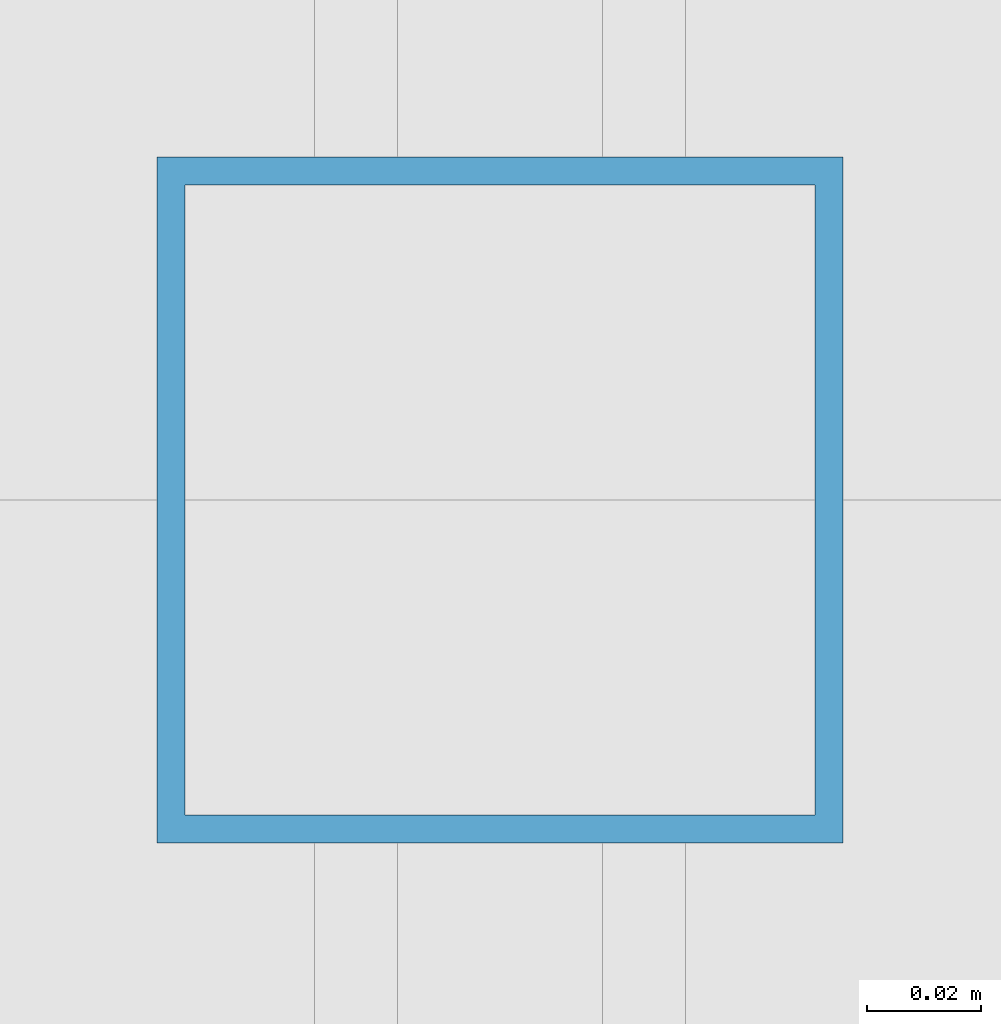
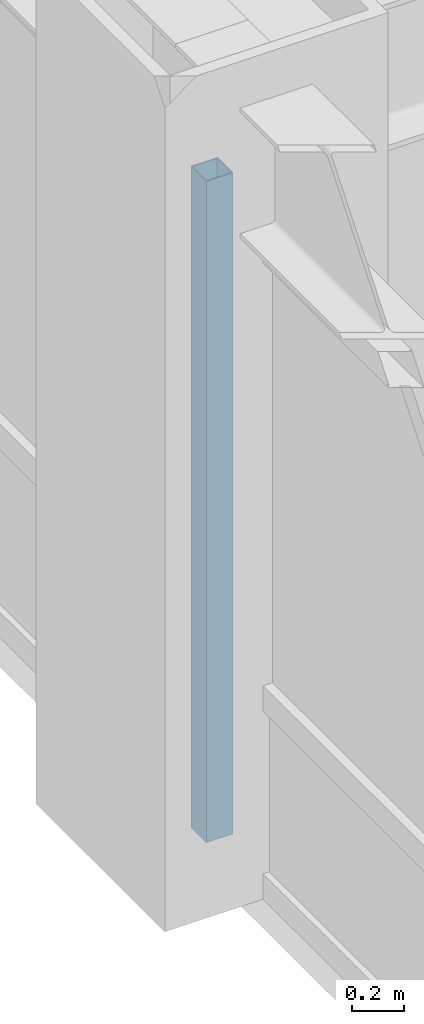
# One storey, part 6 of 29: 1 member, 1 element without a shape of its own.
"""IFC4 building model written with IfcOpenShell, lengths in metres."""

from ifc_helpers import new_model, si_unit, direction, frame, origin, origin_2d, place, context, subcontext, project, spatial, hollow_rectangle, extrude, source, transform, mapped, material, material_profile, profile_set, type_object, element, aggregate, save


model = new_model("IFC4")

# Units and contexts
model_context = context("Model", 3, precision=1e-05, world=origin(), true_north=direction((0.0, 1.0)))
body_context = subcontext(model_context, "Body", "Model", "MODEL_VIEW")
ifc_project = project(units=[si_unit("LENGTHUNIT", "METRE"), si_unit("AREAUNIT", "SQUARE_METRE"), si_unit("VOLUMEUNIT", "CUBIC_METRE"), si_unit("PLANEANGLEUNIT", "RADIAN"), si_unit("MASSUNIT", "GRAM", prefix="KILO")], contexts=[model_context])

# Site, building, storey
site_placement = place(None, origin())
site = spatial("IfcSite", under=ifc_project, at=site_placement, CompositionType="ELEMENT")
building_placement = place(site_placement, origin())
building = spatial("IfcBuilding", under=site, at=building_placement, Name="Khorayat Bourse Tower", CompositionType="ELEMENT")
storey_placement = place(building_placement, frame((0.0, 0.0, 239.10009765625)))
storey = spatial("IfcBuildingStorey", under=building, at=storey_placement, Name="L56", CompositionType="ELEMENT", Elevation=239.10009765625)

# Curtain wall, member
ifc_material = material(Name="Aluminium EN AW-6063 T6", Category="aluminium")
curtain_wall_type = type_object("IfcCurtainWallType", Name="CW-SYS-03", PredefinedType="NOTDEFINED", material=ifc_material)
curtain_wall_placement = place(storey_placement, origin())
curtain_wall = element("IfcCurtainWall", 1, at=curtain_wall_placement, inside=storey, type_object=curtain_wall_type, Name="L56 Curtain Wall CW-L56-W1", PredefinedType="NOTDEFINED")
ifc_material_profile = material_profile(ifc_material, hollow_rectangle(XDim=0.1201171875, YDim=0.1201171875, WallThickness=0.0048828125, at=origin_2d()), Name="ALU 120x120x5")
ifc_profile_set = profile_set([ifc_material_profile], Name="Aluminium EN AW-6063 T6")
member_type = type_object("IfcMemberType", Name="CWM-VERT-120", PredefinedType="MULLION", material=ifc_profile_set)
shared_shape = source(origin(), body_context, "Body", "SweptSolid", [
    extrude(hollow_rectangle(XDim=0.1201171875, YDim=0.1201171875, WallThickness=0.0048828125, at=origin_2d()), origin(), (0.0, 0.0, 1.0), 3.1298828125),
])
member_placement = place(storey_placement, frame((-30.0, 0.0, 0.0), z_axis=(0.0, 0.0, 1.0), x_axis=(-1.0, 0.0, 0.0)))
member = element("IfcMember", 2, at=member_placement, type_object=member_type, Name="CW-L56-W1 Vertical Mullion 2", PredefinedType="MULLION", context=body_context, shape_type="MappedRepresentation", body=[
    mapped(shared_shape, transform((0.0, 0.0, 0.0), scale=1.0)),
])
aggregate(curtain_wall, [member])

save(model, "model.ifc")
